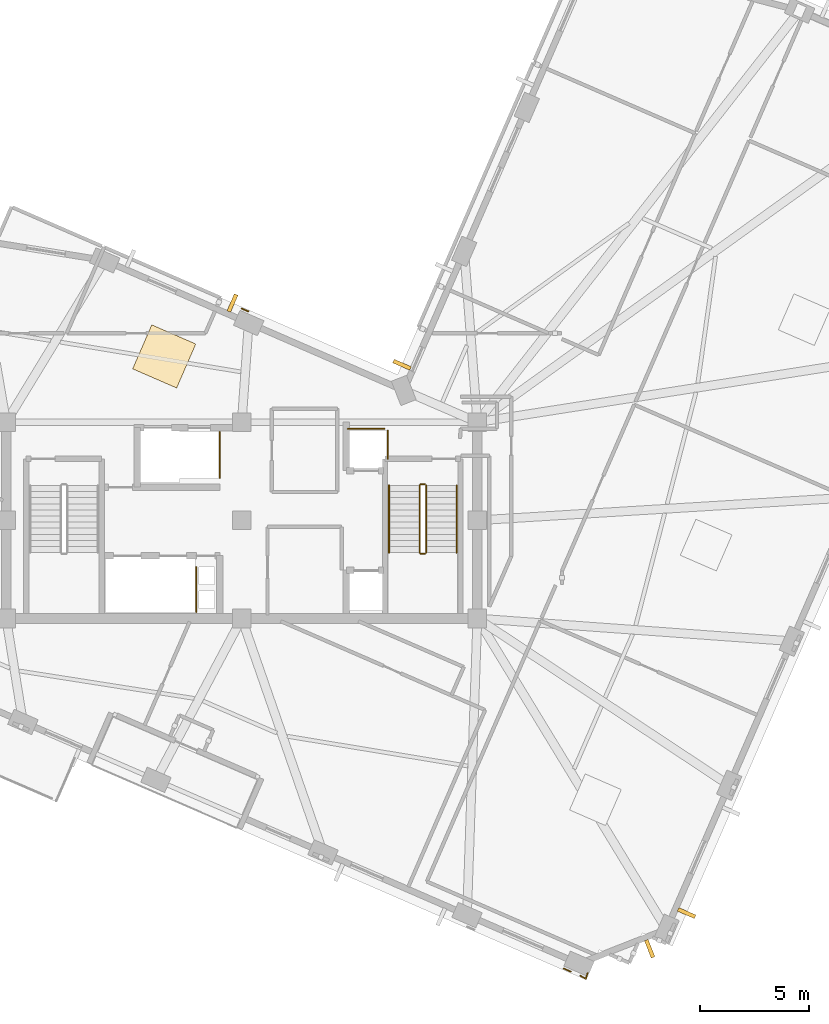
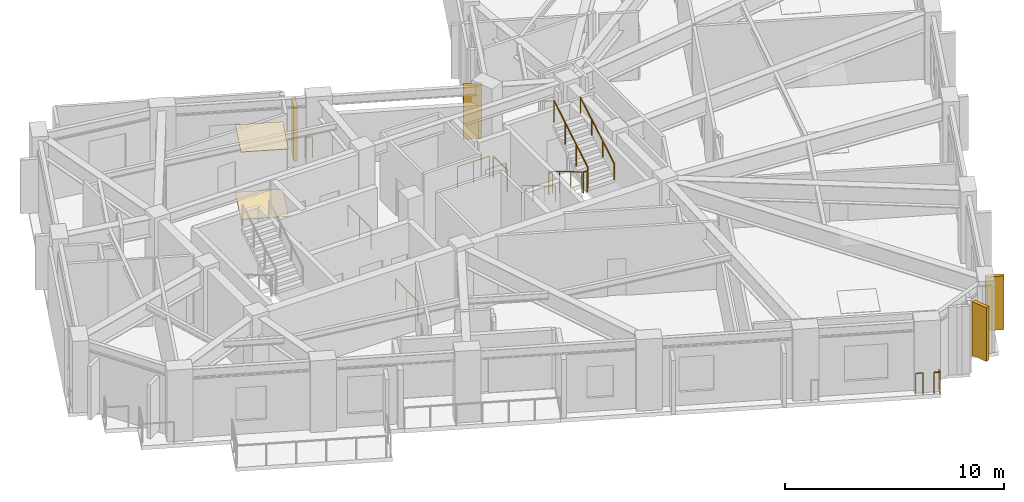
# One storey, part 10 of 12: 13 railings, 4 shading devices, 2 coverings.
"""IFC4 building model written with IfcOpenShell, lengths in metres."""

import ifcopenshell
import ifcopenshell.guid

model = None  # the IFC model being written
_history = None  # IfcOwnerHistory: only IFC2X3 demands one
_inside = {}  # id of a spatial element -> (the spatial element, [elements in it])
_under = {}  # id of a project, library or spatial element -> (it, [spatial elements below it])
_declared = {}  # id of a project -> (the project, [libraries it declares])
_typed = {}  # id of a type object -> (the type object, [elements of that type])
_made_of = {}  # id of a material, layer set ... -> (it, [elements and type objects made of it])


def new_model(schema):
    """Start an empty IFC model of exactly this schema.

    Asked for "IFC4X3", IfcOpenShell would pick the latest addendum, in which some entities
    have other attributes; the version numbers below select the first issue.
    IFC2X3 requires an IfcOwnerHistory on every rooted entity: one is made here for all.
    """
    global model, _history
    if schema == "IFC4X3":
        model = ifcopenshell.file(schema_version=(4, 3, 0, 0))
    else:
        model = ifcopenshell.file(schema=schema)
    _inside.clear()
    _under.clear()
    _declared.clear()
    _typed.clear()
    _made_of.clear()
    _history = None
    if model.schema == "IFC2X3":
        org = make("IfcOrganization", Name="unknown")
        user = make(
            "IfcPersonAndOrganization",
            ThePerson=make("IfcPerson", FamilyName="unknown"),
            TheOrganization=org,
        )
        app = make(
            "IfcApplication",
            ApplicationDeveloper=org,
            Version="unknown",
            ApplicationFullName="unknown",
            ApplicationIdentifier="unknown",
        )
        _history = make(
            "IfcOwnerHistory",
            OwningUser=user,
            OwningApplication=app,
            ChangeAction="ADDED",
            CreationDate=0,
        )
    return model


def make(cls, **values):
    """One entity of the class cls with the attributes given. An attribute that is None is left unset."""
    return model.create_entity(
        cls, **{name: value for name, value in values.items() if value is not None}
    )


def rooted(cls, **values):
    """An entity with a GlobalId (a new one), such as an element, a storey or a relation."""
    return make(cls, GlobalId=ifcopenshell.guid.new(), OwnerHistory=_history, **values)


def si_unit(unit_type, name, prefix=None):
    """IfcSIUnit, for example si_unit("LENGTHUNIT", "METRE", prefix="MILLI")."""
    return make("IfcSIUnit", UnitType=unit_type, Prefix=prefix, Name=name)


def assignment(units):
    """IfcUnitAssignment: the units of a project."""
    return None if units is None else make("IfcUnitAssignment", Units=units)


def point(xyz):
    """IfcCartesianPoint."""
    return None if xyz is None else make("IfcCartesianPoint", Coordinates=xyz)


def direction(xyz):
    """IfcDirection."""
    return None if xyz is None else make("IfcDirection", DirectionRatios=xyz)


def frame(location, z_axis=None, x_axis=None):
    """IfcAxis2Placement3D, a coordinate frame: its origin and axes. An axis left out is left unset."""
    return make(
        "IfcAxis2Placement3D",
        Location=point(location),
        Axis=direction(z_axis),
        RefDirection=direction(x_axis),
    )


def frame_2d(location, x_axis=None):
    """IfcAxis2Placement2D, a coordinate frame in the plane: its origin and x axis."""
    return make(
        "IfcAxis2Placement2D", Location=point(location), RefDirection=direction(x_axis)
    )


def origin():
    """The frame at (0, 0, 0) with its axes left unset."""
    return frame((0.0, 0.0, 0.0))


def origin_2d():
    """The frame at (0, 0) in the plane with its x axis left unset."""
    return frame_2d((0.0, 0.0))


def place(relative_to, where):
    """IfcLocalPlacement: puts the frame where relative to a parent placement (None: the world)."""
    return make(
        "IfcLocalPlacement", PlacementRelTo=relative_to, RelativePlacement=where
    )


def context(
    kind, dimensions, precision=None, world=None, true_north=None, identifier=None
):
    """IfcGeometricRepresentationContext, for example the 3D "Model" context."""
    return make(
        "IfcGeometricRepresentationContext",
        ContextIdentifier=identifier,
        ContextType=kind,
        CoordinateSpaceDimension=dimensions,
        Precision=precision,
        WorldCoordinateSystem=world,
        TrueNorth=true_north,
    )


def subcontext(parent, identifier, kind, view, scale=None):
    """IfcGeometricRepresentationSubContext, for example "Body" below "Model"."""
    return make(
        "IfcGeometricRepresentationSubContext",
        ContextIdentifier=identifier,
        ContextType=kind,
        ParentContext=parent,
        TargetScale=scale,
        TargetView=view,
    )


def project(units=None, contexts=None):
    """IfcProject with its units and contexts."""
    return rooted(
        "IfcProject",
        Name="project",
        RepresentationContexts=contexts,
        UnitsInContext=assignment(units),
    )


def spatial(cls, under=None, at=None, **own):
    """A site, building, storey or space (cls), placed at a placement, below another one or the project."""
    s = rooted(cls, ObjectPlacement=at, **own)
    if under is not None:
        _under.setdefault(under.id(), (under, []))[1].append(s)
    return s


def profile(cls, at=None, kind="AREA", **sizes):
    """A parametric profile (cls). Its sizes go by their IFC names, for example OverallWidth=200.0."""
    return make(cls, ProfileType=kind, Position=at, **sizes)


def rectangle(**sizes):
    """IfcRectangleProfileDef."""
    return profile("IfcRectangleProfileDef", **sizes)


def circle(**sizes):
    """IfcCircleProfileDef."""
    return profile("IfcCircleProfileDef", **sizes)


def extrude(swept, where, along, depth):
    """IfcExtrudedAreaSolid: the profile swept, set in the frame where, extruded along a direction by depth."""
    return make(
        "IfcExtrudedAreaSolid",
        SweptArea=swept,
        Position=where,
        ExtrudedDirection=direction(along),
        Depth=depth,
    )


def shape(context_of_items, identifier, shape_type, items):
    """IfcShapeRepresentation: the items that make up one representation, for example the "Body"."""
    return make(
        "IfcShapeRepresentation",
        ContextOfItems=context_of_items,
        RepresentationIdentifier=identifier,
        RepresentationType=shape_type,
        Items=items,
    )


def material(Name=None, Category=None):
    """IfcMaterial."""
    return make("IfcMaterial", Name=Name, Category=Category)


def layer(
    of_material, thickness, ventilated=None, Name=None, Category=None, Priority=None
):
    """IfcMaterialLayer: one layer of a wall or slab, of a material (None: an air gap)."""
    return make(
        "IfcMaterialLayer",
        Material=of_material,
        LayerThickness=thickness,
        IsVentilated=ventilated,
        Name=Name,
        Category=Category,
        Priority=Priority,
    )


def layer_set(layers, Name=None):
    """IfcMaterialLayerSet."""
    return make("IfcMaterialLayerSet", MaterialLayers=layers, LayerSetName=Name)


def made_of(thing, what):
    """Note that an element or type object is made of a material, layer set ...; save() writes the relation."""
    if what is not None:
        _made_of.setdefault(what.id(), (what, []))[1].append(thing)
    return thing


def type_object(cls, material=None, **own):
    """A type object (cls), such as IfcWallType, which elements share."""
    return made_of(rooted(cls, **own), material)


def element(
    cls,
    number,
    at=None,
    inside=None,
    cuts=None,
    type_object=None,
    material=None,
    context=None,
    identifier="Body",
    shape_type=None,
    held_by="IfcProductDefinitionShape",
    body=None,
    shapes=None,
    **own,
):
    """One element of the class cls, such as IfcWall. Its Tag is "e" and its number.

    at: its placement. inside: the storey or other place that contains it. cuts: it is an
    opening in that element (IfcRelVoidsElement). A single representation is given by context,
    identifier, shape_type and body (its items); several are given by shapes. held_by: the class
    of the entity that holds the representations. save() writes the other relations.
    """
    e = rooted(cls, Tag="e%d" % number, ObjectPlacement=at, **own)
    if body is not None:
        shapes = [shape(context, identifier, shape_type, body)]
    if shapes is not None:
        e.Representation = make(held_by, Representations=shapes)
    if inside is not None:
        _inside.setdefault(inside.id(), (inside, []))[1].append(e)
    if cuts is not None:
        rooted(
            "IfcRelVoidsElement", RelatingBuildingElement=cuts, RelatedOpeningElement=e
        )
    if type_object is not None:
        _typed.setdefault(type_object.id(), (type_object, []))[1].append(e)
    return made_of(e, material)


def aggregate(whole, parts):
    """IfcRelAggregates: a whole, such as a stair, and the parts it consists of."""
    return rooted("IfcRelAggregates", RelatingObject=whole, RelatedObjects=parts)


def save(model, path):
    """Write the relations noted so far, then the file.

    IfcRelAggregates (storeys below a building ...), IfcRelContainedInSpatialStructure (elements
    in a storey), IfcRelDefinesByType, IfcRelAssociatesMaterial and IfcRelDeclares: one each for
    every whole, place, type object, material and project.
    """
    for whole, parts in _under.values():
        aggregate(whole, parts)
    for where, things in _inside.values():
        rooted(
            "IfcRelContainedInSpatialStructure",
            RelatedElements=things,
            RelatingStructure=where,
        )
    for kind, things in _typed.values():
        rooted("IfcRelDefinesByType", RelatedObjects=things, RelatingType=kind)
    for what, things in _made_of.values():
        rooted("IfcRelAssociatesMaterial", RelatedObjects=things, RelatingMaterial=what)
    for by, libraries in _declared.values():
        rooted("IfcRelDeclares", RelatingContext=by, RelatedDefinitions=libraries)
    model.write(path)


model = new_model("IFC4")

# Units and contexts
model_context = context("Model", 3, precision=1e-05, world=origin(), true_north=direction((0.0, 1.0)))
body_context = subcontext(model_context, "Body", "Model", "MODEL_VIEW")
ifc_project = project(units=[si_unit("LENGTHUNIT", "METRE"), si_unit("AREAUNIT", "SQUARE_METRE"), si_unit("VOLUMEUNIT", "CUBIC_METRE"), si_unit("PLANEANGLEUNIT", "RADIAN"), si_unit("MASSUNIT", "GRAM", prefix="KILO")], contexts=[model_context])

# Site, building, storey
site_placement = place(None, origin())
site = spatial("IfcSite", under=ifc_project, at=site_placement, CompositionType="ELEMENT")
building_placement = place(site_placement, origin())
building = spatial("IfcBuilding", under=site, at=building_placement, Name="Gaonmaruhae Medical Tower", CompositionType="ELEMENT")
storey_placement = place(building_placement, frame((0.0, 0.0, 308.60009765625)))
storey = spatial("IfcBuildingStorey", under=building, at=storey_placement, Name="L74", CompositionType="ELEMENT", Elevation=308.60009765625)

# Coverings
ifc_material_1 = material(Name="Acoustic mineral ceiling tile", Category="finish")
ifc_layer_1 = layer(ifc_material_1, 0.02490234375)
ifc_layer_set_1 = layer_set([ifc_layer_1], Name="Acoustic mineral ceiling tile")
covering_type_1 = type_object("IfcCoveringType", Name="CLG-01 Antimicrobial Acoustic Mineral Ceiling", PredefinedType="CEILING", material=ifc_layer_set_1)
covering_1_placement = place(storey_placement, frame((21.2451171875, 19.813720703125, 3.7548828125), z_axis=(0.0, 0.0, 1.0), x_axis=(0.398749068925, 0.917060074385, 0.0)))
element("IfcCovering", 1, at=covering_1_placement, inside=storey, type_object=covering_type_1, Name="L74 Clinical Corridor Acoustic Ceiling", PredefinedType="CEILING", context=body_context, shape_type="SweptSolid", body=[
    extrude(rectangle(XDim=2.199951171875, YDim=2.199951171875, at=origin_2d()), origin(), (0.0, 0.0, 1.0), 0.02490234375),
])
ifc_material_2 = material(Name="Seamless clinical vinyl flooring", Category="finish")
ifc_layer_2 = layer(ifc_material_2, 0.014892578125)
ifc_layer_set_2 = layer_set([ifc_layer_2], Name="Seamless clinical vinyl flooring")
covering_type_2 = type_object("IfcCoveringType", Name="FLR-01 Seamless Clinical Antistatic Vinyl Flooring", PredefinedType="FLOORING", material=ifc_layer_set_2)
covering_2_placement = place(storey_placement, frame((21.2451171875, 19.813720703125, 0.00048828125), z_axis=(0.0, 0.0, 1.0), x_axis=(0.398749068925, 0.917060074385, 0.0)))
element("IfcCovering", 2, at=covering_2_placement, inside=storey, type_object=covering_type_2, Name="L74 Clinical Corridor Vinyl Flooring", PredefinedType="FLOORING", context=body_context, shape_type="SweptSolid", body=[
    extrude(rectangle(XDim=2.199951171875, YDim=2.199951171875, at=origin_2d()), origin(), (0.0, 0.0, 1.0), 0.014892578125),
])

# Railings
ifc_material_3 = material(Name="Stainless steel 316L and laminated safety glass", Category="steel")
ifc_layer_3 = layer(ifc_material_3, 0.080078125)
ifc_layer_set_3 = layer_set([ifc_layer_3], Name="Stainless steel 316L and laminated safety glass")
railing_type_1 = type_object("IfcRailingType", Name="GD-120 Outdoor Terrace Safety Glass & Steel Balustrade", PredefinedType="BALUSTRADE", material=ifc_layer_set_3)
railing_1_placement = place(storey_placement, frame((24.79296875, 22.010498046875, 0.0)))
element("IfcRailing", 3, at=railing_1_placement, inside=storey, type_object=railing_type_1, Name="L74 Perimeter Slab Edge Safety Balustrade 03", PredefinedType="BALUSTRADE", context=body_context, shape_type="SweptSolid", body=[
    extrude(circle(Radius=0.02392578125, at=origin_2d()), frame((0.0, 0.0, 1.17578125), z_axis=(0.917081518132, -0.398699748056, 0.0), x_axis=(0.398699748056, 0.917081518132, 0.0)), (0.0, 0.0, 1.0), 0.338623046875),
    extrude(circle(Radius=0.02099609375, at=origin_2d()), origin(), (0.0, 0.0, 1.0), 1.15185546875),
    extrude(circle(Radius=0.02099609375, at=origin_2d()), frame((0.310546875, -0.135009765625, 0.0)), (0.0, 0.0, 1.0), 1.15185546875),
])
railing_2_placement = place(storey_placement, frame((39.875244140625, -8.384521484375, 0.0)))
element("IfcRailing", 4, at=railing_2_placement, inside=storey, type_object=railing_type_1, Name="L74 Perimeter Slab Edge Safety Balustrade 09", PredefinedType="BALUSTRADE", context=body_context, shape_type="SweptSolid", body=[
    extrude(circle(Radius=0.02392578125, at=origin_2d()), frame((0.0, 0.0, 1.17578125), z_axis=(-0.917081518132, 0.398699748056, 0.0), x_axis=(-0.398699748056, -0.917081518132, 0.0)), (0.0, 0.0, 1.0), 0.338623046875),
    extrude(circle(Radius=0.02099609375, at=origin_2d()), origin(), (0.0, 0.0, 1.0), 1.15185546875),
    extrude(circle(Radius=0.02099609375, at=origin_2d()), frame((-0.310546875, 0.135009765625, 0.0)), (0.0, 0.0, 1.0), 1.15185546875),
])
railing_3_placement = place(storey_placement, frame((40.65625, -8.451416015625, 0.0)))
element("IfcRailing", 5, at=railing_3_placement, inside=storey, type_object=railing_type_1, Name="L74 Perimeter Corner Safety Balustrade 17", PredefinedType="BALUSTRADE", context=body_context, shape_type="SweptSolid", body=[
    extrude(circle(Radius=0.02392578125, at=origin_2d()), frame((0.0, 0.0, 1.17578125), z_axis=(-0.28391467167, -0.958849549831, 0.0), x_axis=(0.958849549831, -0.28391467167, 0.0)), (0.0, 0.0, 1.0), 0.287109375),
    extrude(circle(Radius=0.02392578125, at=origin_2d()), frame((-0.08154296875, -0.275390625, 1.17578125), z_axis=(-0.861518532877, 0.507726124509, 0.0), x_axis=(-0.507726124509, -0.861518532877, 0.0)), (0.0, 0.0, 1.0), 0.287109375),
    extrude(circle(Radius=0.02099609375, at=origin_2d()), origin(), (0.0, 0.0, 1.0), 1.15185546875),
    extrude(circle(Radius=0.02099609375, at=origin_2d()), frame((-0.08154296875, -0.275390625, 0.0)), (0.0, 0.0, 1.0), 1.15185546875),
    extrude(circle(Radius=0.02099609375, at=origin_2d()), frame((-0.328857421875, -0.129638671875, 0.0)), (0.0, 0.0, 1.0), 1.15185546875),
])
ifc_material_4 = material(Name="Stainless steel 304 handrail", Category="steel")
railing_type_2 = type_object("IfcRailingType", Name="HR-092 Continuous Stainless Steel Stair Handrail", PredefinedType="HANDRAIL", material=ifc_material_4)
railing_4_placement = place(storey_placement, frame((31.550048828125, 13.89990234375, 0.16650390625)))
element("IfcRailing", 6, at=railing_4_placement, inside=storey, type_object=railing_type_2, Name="L74 ST-02 stair handrail 1", PredefinedType="HANDRAIL", context=body_context, shape_type="SweptSolid", body=[
    extrude(circle(Radius=0.02392578125, at=origin_2d()), frame((0.0, 0.0, 0.8759765625), z_axis=(0.0, -0.859260807169, 0.511537745687), x_axis=(1.0, 0.0, 0.0)), (0.0, 0.0, 1.0), 3.584228515625),
    extrude(circle(Radius=0.02099609375, at=origin_2d()), origin(), (0.0, 0.0, 1.0), 0.851806640625),
    extrude(circle(Radius=0.02099609375, at=origin_2d()), frame((0.0, -1.026611328125, 0.611083984375)), (0.0, 0.0, 1.0), 0.851806640625),
    extrude(circle(Radius=0.02099609375, at=origin_2d()), frame((0.0, -2.05322265625, 1.222412109375)), (0.0, 0.0, 1.0), 0.851806640625),
    extrude(circle(Radius=0.02099609375, at=origin_2d()), frame((0.0, -3.079833984375, 1.83349609375)), (0.0, 0.0, 1.0), 0.851806640625),
])
railing_5_placement = place(storey_placement, frame((34.64990234375, 10.820068359375, 2.16650390625)))
element("IfcRailing", 7, at=railing_5_placement, inside=storey, type_object=railing_type_2, Name="L74 ST-02 stair handrail 2", PredefinedType="HANDRAIL", context=body_context, shape_type="SweptSolid", body=[
    extrude(circle(Radius=0.02392578125, at=origin_2d()), frame((0.0, 0.0, 0.8759765625), z_axis=(0.0, 0.859260807169, 0.511537745687), x_axis=(-1.0, 0.0, 0.0)), (0.0, 0.0, 1.0), 3.584228515625),
    extrude(circle(Radius=0.02099609375, at=origin_2d()), origin(), (0.0, 0.0, 1.0), 0.851806640625),
    extrude(circle(Radius=0.02099609375, at=origin_2d()), frame((0.0, 1.026611328125, 0.611083984375)), (0.0, 0.0, 1.0), 0.851806640625),
    extrude(circle(Radius=0.02099609375, at=origin_2d()), frame((0.0, 2.05322265625, 1.222412109375)), (0.0, 0.0, 1.0), 0.851806640625),
    extrude(circle(Radius=0.02099609375, at=origin_2d()), frame((0.0, 3.079833984375, 1.83349609375)), (0.0, 0.0, 1.0), 0.851806640625),
])

# Shading devices
ifc_material_5 = material(Name="Pigmented coral precast concrete C45/55", Category="concrete")
shading_device_type = type_object("IfcShadingDeviceType", Name="SD-FIN1 Tower Vertical Coral Precast Shading Fin", PredefinedType="USERDEFINED", material=ifc_material_5)
for number, where, z_axis, x_axis, name in (
    (8, (45.192626953125, -5.705078125, 0.13232421875), (0.0, 0.0, 1.0), (-0.398749068925, -0.917060074385, 0.0), "L74 Vertical Coral Precast Shading Fin S01B"),
    (9, (32.14404296875, 19.432861328125, 0.13232421875), (0.0, 0.0, 1.0), (0.398749068925, 0.917060074385, 0.0), "L74 Vertical Coral Precast Shading Fin EN02"),
    (10, (24.37548828125, 22.2626953125, 0.13232421875), (0.0, 0.0, 1.0), (0.917060074385, -0.398749068925, 0.0), "L74 Vertical Coral Precast Shading Fin NE01B"),
    (11, (43.500244140625, -7.33935546875, 0.13232421875), (0.0, 0.0, 1.0), (-0.930411171187, -0.366517465518, 0.0), "L74 Vertical Coral Precast Shading Fin W06"),
):
    element("IfcShadingDevice", number, at=place(storey_placement, frame(where, z_axis=z_axis, x_axis=x_axis)), inside=storey, type_object=shading_device_type, Name=name, ObjectType="FIN", PredefinedType="USERDEFINED", context=body_context, shape_type="SweptSolid", body=[
        extrude(rectangle(XDim=0.179931640625, YDim=0.85009765625, at=origin_2d()), origin(), (0.0, 0.0, 1.0), 3.0),
    ])

# Railings
ifc_material_6 = material(Name="Stainless steel 304 balustrade", Category="steel")
railing_type_3 = type_object("IfcRailingType", Name="SG-112 Stair Well & Ramp Void Safety Balustrade", PredefinedType="BALUSTRADE", material=ifc_material_6)
railing_6_placement = place(storey_placement, frame((32.949951171875, 13.89990234375, 0.16650390625)))
element("IfcRailing", 12, at=railing_6_placement, inside=storey, type_object=railing_type_3, Name="L74 ST-02 stair guard 1", PredefinedType="BALUSTRADE", context=body_context, shape_type="SweptSolid", body=[
    extrude(circle(Radius=0.02392578125, at=origin_2d()), frame((0.0, 0.0, 1.17578125), z_axis=(0.0, -0.859260807169, 0.511537745687), x_axis=(1.0, 0.0, 0.0)), (0.0, 0.0, 1.0), 3.584228515625),
    extrude(circle(Radius=0.02099609375, at=origin_2d()), origin(), (0.0, 0.0, 1.0), 1.15185546875),
    extrude(circle(Radius=0.02099609375, at=origin_2d()), frame((0.0, -1.026611328125, 0.611083984375)), (0.0, 0.0, 1.0), 1.15185546875),
    extrude(circle(Radius=0.02099609375, at=origin_2d()), frame((0.0, -2.05322265625, 1.222412109375)), (0.0, 0.0, 1.0), 1.15185546875),
    extrude(circle(Radius=0.02099609375, at=origin_2d()), frame((0.0, -3.079833984375, 1.83349609375)), (0.0, 0.0, 1.0), 1.15185546875),
])
railing_7_placement = place(storey_placement, frame((33.0, 10.77001953125, 2.0)))
element("IfcRailing", 13, at=railing_7_placement, inside=storey, type_object=railing_type_3, Name="L74 ST-02 stair guard 2", PredefinedType="BALUSTRADE", context=body_context, shape_type="SweptSolid", body=[
    extrude(circle(Radius=0.02392578125, at=origin_2d()), frame((0.0, 0.0, 1.17578125), z_axis=(1.0, 0.0, 0.0), x_axis=(0.0, 1.0, 0.0)), (0.0, 0.0, 1.0), 0.199951171875),
    extrude(circle(Radius=0.02099609375, at=origin_2d()), origin(), (0.0, 0.0, 1.0), 1.15185546875),
    extrude(circle(Radius=0.02099609375, at=origin_2d()), frame((0.199951171875, 0.0, 0.0)), (0.0, 0.0, 1.0), 1.15185546875),
])
railing_8_placement = place(storey_placement, frame((33.25, 10.820068359375, 2.16650390625)))
element("IfcRailing", 14, at=railing_8_placement, inside=storey, type_object=railing_type_3, Name="L74 ST-02 stair guard 3", PredefinedType="BALUSTRADE", context=body_context, shape_type="SweptSolid", body=[
    extrude(circle(Radius=0.02392578125, at=origin_2d()), frame((0.0, 0.0, 1.17578125), z_axis=(0.0, 0.859260807169, 0.511537745687), x_axis=(-1.0, 0.0, 0.0)), (0.0, 0.0, 1.0), 3.584228515625),
    extrude(circle(Radius=0.02099609375, at=origin_2d()), origin(), (0.0, 0.0, 1.0), 1.15185546875),
    extrude(circle(Radius=0.02099609375, at=origin_2d()), frame((0.0, 1.026611328125, 0.611083984375)), (0.0, 0.0, 1.0), 1.15185546875),
    extrude(circle(Radius=0.02099609375, at=origin_2d()), frame((0.0, 2.05322265625, 1.222412109375)), (0.0, 0.0, 1.0), 1.15185546875),
    extrude(circle(Radius=0.02099609375, at=origin_2d()), frame((0.0, 3.079833984375, 1.83349609375)), (0.0, 0.0, 1.0), 1.15185546875),
])
railing_9_placement = place(storey_placement, frame((33.0, 13.949951171875, 0.0)))
element("IfcRailing", 15, at=railing_9_placement, inside=storey, type_object=railing_type_3, Name="L74 ST-02 stair guard 4", PredefinedType="BALUSTRADE", context=body_context, shape_type="SweptSolid", body=[
    extrude(circle(Radius=0.02392578125, at=origin_2d()), frame((0.0, 0.0, 1.17578125), z_axis=(1.0, 0.0, 0.0), x_axis=(0.0, 1.0, 0.0)), (0.0, 0.0, 1.0), 0.199951171875),
    extrude(circle(Radius=0.02099609375, at=origin_2d()), origin(), (0.0, 0.0, 1.0), 1.15185546875),
    extrude(circle(Radius=0.02099609375, at=origin_2d()), frame((0.199951171875, 0.0, 0.0)), (0.0, 0.0, 1.0), 1.15185546875),
])
railing_10_placement = place(storey_placement, frame((22.719970703125, 10.159912109375, 0.0)))
element("IfcRailing", 16, at=railing_10_placement, inside=storey, type_object=railing_type_3, Name="L74 Shaft Edge Safety Guard 18", PredefinedType="BALUSTRADE", context=body_context, shape_type="SweptSolid", body=[
    extrude(circle(Radius=0.02392578125, at=origin_2d()), frame((0.0, 0.0, 1.17578125), z_axis=(0.0, -1.0, 0.0), x_axis=(1.0, 0.0, 0.0)), (0.0, 0.0, 1.0), 2.06494140625),
    extrude(circle(Radius=0.02099609375, at=origin_2d()), origin(), (0.0, 0.0, 1.0), 1.15185546875),
    extrude(circle(Radius=0.02099609375, at=origin_2d()), frame((0.0, -1.032470703125, 0.0)), (0.0, 0.0, 1.0), 1.15185546875),
    extrude(circle(Radius=0.02099609375, at=origin_2d()), frame((0.0, -2.06494140625, 0.0)), (0.0, 0.0, 1.0), 1.15185546875),
])
railing_11_placement = place(storey_placement, frame((23.794921875, 16.35498046875, 0.0)))
element("IfcRailing", 17, at=railing_11_placement, inside=storey, type_object=railing_type_3, Name="L74 Shaft Edge Safety Guard 19", PredefinedType="BALUSTRADE", context=body_context, shape_type="SweptSolid", body=[
    extrude(circle(Radius=0.02392578125, at=origin_2d()), frame((0.0, 0.0, 1.17578125), z_axis=(0.0, -1.0, 0.0), x_axis=(1.0, 0.0, 0.0)), (0.0, 0.0, 1.0), 2.10986328125),
    extrude(circle(Radius=0.02099609375, at=origin_2d()), origin(), (0.0, 0.0, 1.0), 1.15185546875),
    extrude(circle(Radius=0.02099609375, at=origin_2d()), frame((0.0, -1.054931640625, 0.0)), (0.0, 0.0, 1.0), 1.15185546875),
    extrude(circle(Radius=0.02099609375, at=origin_2d()), frame((0.0, -2.10986328125, 0.0)), (0.0, 0.0, 1.0), 1.15185546875),
])
railing_12_placement = place(storey_placement, frame((31.4951171875, 16.405029296875, 0.0)))
element("IfcRailing", 18, at=railing_12_placement, inside=storey, type_object=railing_type_3, Name="L74 Shaft Edge Safety Guard 20", PredefinedType="BALUSTRADE", context=body_context, shape_type="SweptSolid", body=[
    extrude(circle(Radius=0.02392578125, at=origin_2d()), frame((0.0, 0.0, 1.17578125), z_axis=(0.0, -1.0, 0.0), x_axis=(1.0, 0.0, 0.0)), (0.0, 0.0, 1.0), 1.284912109375),
    extrude(circle(Radius=0.02099609375, at=origin_2d()), origin(), (0.0, 0.0, 1.0), 1.15185546875),
    extrude(circle(Radius=0.02099609375, at=origin_2d()), frame((0.0, -1.284912109375, 0.0)), (0.0, 0.0, 1.0), 1.15185546875),
])
railing_13_placement = place(storey_placement, frame((29.6630859375, 16.4951171875, 0.0)))
element("IfcRailing", 19, at=railing_13_placement, inside=storey, type_object=railing_type_3, Name="L74 Shaft Edge Safety Guard 21", PredefinedType="BALUSTRADE", context=body_context, shape_type="SweptSolid", body=[
    extrude(circle(Radius=0.02392578125, at=origin_2d()), frame((0.0, 0.0, 1.17578125), z_axis=(1.0, 0.0, 0.0), x_axis=(0.0, 1.0, 0.0)), (0.0, 0.0, 1.0), 1.673828125),
    extrude(circle(Radius=0.02099609375, at=origin_2d()), origin(), (0.0, 0.0, 1.0), 1.15185546875),
    extrude(circle(Radius=0.02099609375, at=origin_2d()), frame((0.8369140625, 0.0, 0.0)), (0.0, 0.0, 1.0), 1.15185546875),
    extrude(circle(Radius=0.02099609375, at=origin_2d()), frame((1.673828125, 0.0, 0.0)), (0.0, 0.0, 1.0), 1.15185546875),
])

save(model, "model.ifc")
